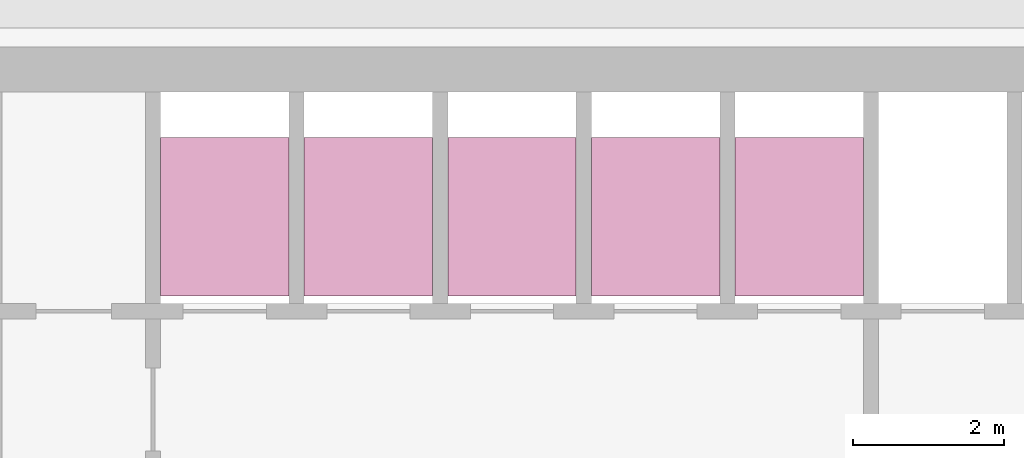
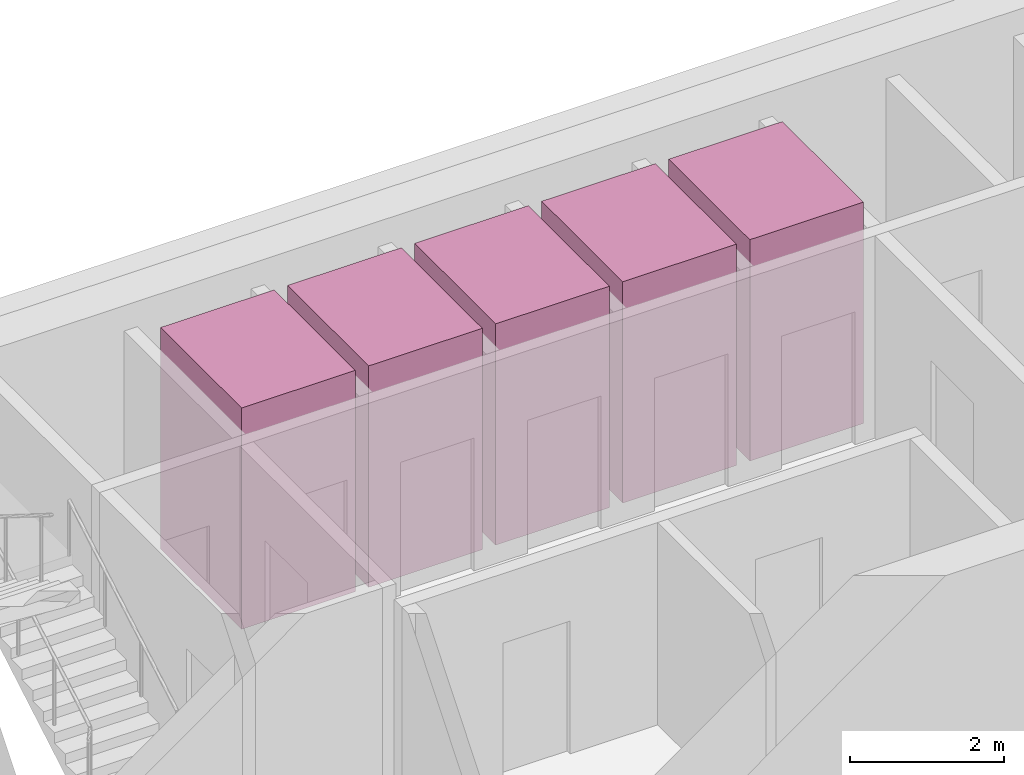
# One storey, part 12 of 12: 5 transport elements.
"""IFC4 building model written with IfcOpenShell, lengths in metres."""

from ifc_helpers import new_model, si_unit, direction, frame, origin, origin_2d, place, context, subcontext, project, spatial, rectangle, extrude, material, type_object, element, save


model = new_model("IFC4")

# Units and contexts
model_context = context("Model", 3, precision=1e-05, world=origin(), true_north=direction((0.0, 1.0)))
body_context = subcontext(model_context, "Body", "Model", "MODEL_VIEW")
ifc_project = project(units=[si_unit("LENGTHUNIT", "METRE"), si_unit("AREAUNIT", "SQUARE_METRE"), si_unit("VOLUMEUNIT", "CUBIC_METRE"), si_unit("PLANEANGLEUNIT", "RADIAN"), si_unit("MASSUNIT", "GRAM", prefix="KILO")], contexts=[model_context])

# Site, building, storey
site_placement = place(None, origin())
site = spatial("IfcSite", under=ifc_project, at=site_placement, CompositionType="ELEMENT")
building_placement = place(site_placement, origin())
building = spatial("IfcBuilding", under=site, at=building_placement, Name="Altiplano Prism Tower", CompositionType="ELEMENT")
storey_placement = place(building_placement, frame((0.0, 0.0, 260.800048828125)))
storey = spatial("IfcBuildingStorey", under=building, at=storey_placement, Name="L67", CompositionType="ELEMENT", Elevation=260.800048828125)

# Transport elements
ifc_material = material(Name="Stainless steel lift car", Category="steel")
transport_element_type = type_object("IfcTransportElementType", Name="Passenger lift car 1600 x 2100", PredefinedType="ELEVATOR", material=ifc_material)
for number, where, z_axis, x_axis, name in (
    (1, (79.050048828125, 101.75, 0.050048828125), (0.0, 0.0, 1.0), (1.0, 0.0, 0.0), "High Zone Passenger Lift 1"),
    (2, (80.949951171875, 101.75, 0.050048828125), (0.0, 0.0, 1.0), (1.0, 0.0, 0.0), "High Zone Passenger Lift 2"),
    (3, (82.85009765625, 101.75, 0.050048828125), (0.0, 0.0, 1.0), (1.0, 0.0, 0.0), "High Zone Passenger Lift 3"),
    (4, (84.75, 101.75, 0.050048828125), (0.0, 0.0, 1.0), (1.0, 0.0, 0.0), "High Zone Passenger Lift 4"),
    (5, (86.64990234375, 101.75, 0.050048828125), (0.0, 0.0, 1.0), (1.0, 0.0, 0.0), "High Zone Passenger Lift 5"),
):
    element("IfcTransportElement", number, at=place(storey_placement, frame(where, z_axis=z_axis, x_axis=x_axis)), inside=storey, type_object=transport_element_type, Name=name, PredefinedType="ELEVATOR", context=body_context, shape_type="SweptSolid", body=[
        extrude(rectangle(XDim=1.699951171875, YDim=2.10009765625, at=origin_2d()), origin(), (0.0, 0.0, 1.0), 3.5),
    ])

save(model, "model.ifc")
